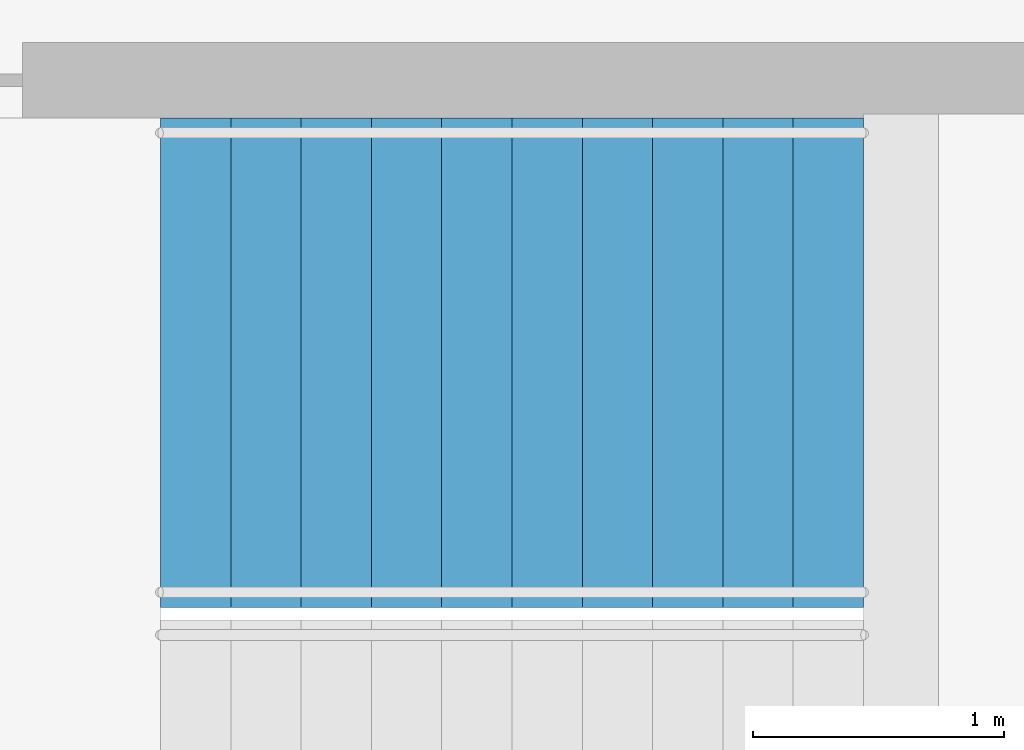
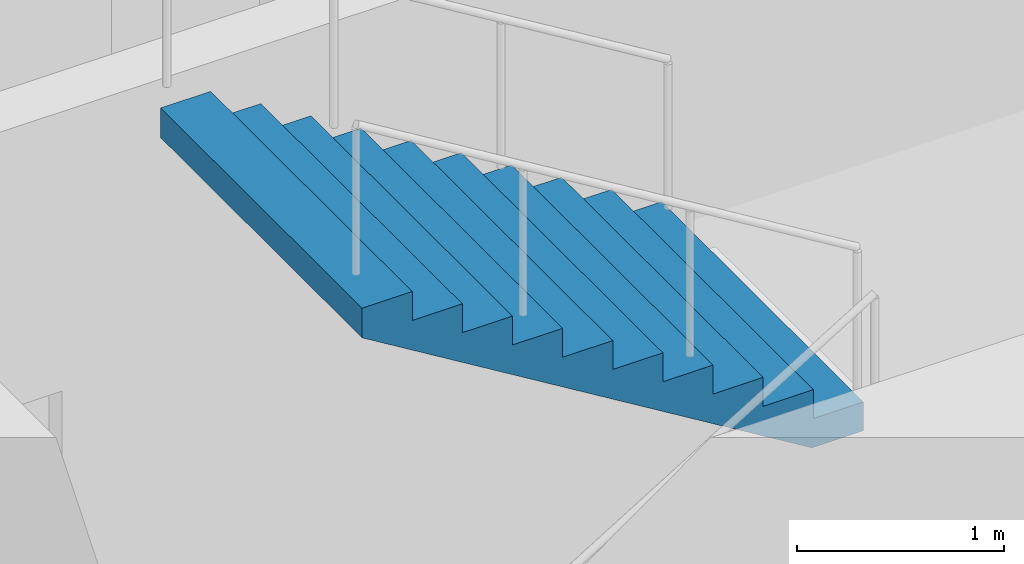
# One storey, part 20 of 23: 1 stair flight, 1 element without a shape of its own.
"""IFC4 building model written with IfcOpenShell, lengths in metres."""

from ifc_helpers import new_model, si_unit, direction, frame, origin, place, context, subcontext, project, spatial, triangles, material, type_object, element, aggregate, save


model = new_model("IFC4")

# Units and contexts
model_context = context("Model", 3, precision=1e-05, world=origin(), true_north=direction((0.0, 1.0)))
body_context = subcontext(model_context, "Body", "Model", "MODEL_VIEW")
ifc_project = project(units=[si_unit("LENGTHUNIT", "METRE"), si_unit("AREAUNIT", "SQUARE_METRE"), si_unit("VOLUMEUNIT", "CUBIC_METRE"), si_unit("PLANEANGLEUNIT", "RADIAN"), si_unit("MASSUNIT", "GRAM", prefix="KILO")], contexts=[model_context])

# Site, building, storey
site_placement = place(None, origin())
site = spatial("IfcSite", under=ifc_project, at=site_placement, CompositionType="ELEMENT")
building_placement = place(site_placement, origin())
building = spatial("IfcBuilding", under=site, at=building_placement, Name="Orbita Commons", CompositionType="ELEMENT")
storey_placement = place(building_placement, frame((0.0, 0.0, 65.199951171875)))
storey = spatial("IfcBuildingStorey", under=building, at=storey_placement, Name="L16", CompositionType="ELEMENT", Elevation=65.199951171875)

# Stair, stair flight
ifc_material_1 = material(Name="Precast concrete C40/50", Category="concrete")
stair_type = type_object("IfcStairType", Name="Exit stair S1 2 flights 11 risers 170", PredefinedType="HALF_TURN_STAIR", material=ifc_material_1)
stair_placement = place(storey_placement, origin())
stair = element("IfcStair", 1, at=stair_placement, inside=storey, type_object=stair_type, Name="Exit stair S1 L16", PredefinedType="HALF_TURN_STAIR")
ifc_material_2 = material(Name="Precast concrete C40/50", Category="concrete")
stair_flight_type = type_object("IfcStairFlightType", Name="Stair flight 11 risers 170 x 280", PredefinedType="STRAIGHT", material=ifc_material_2)
stair_flight_placement = place(storey_placement, frame((23.25, 29.27490234375, 1.875), z_axis=(0.0, 0.0, 1.0), x_axis=(-1.0, 0.0, 0.0)))
stair_flight = element("IfcStairFlight", 2, at=stair_flight_placement, type_object=stair_flight_type, Name="S1 flight 2", NumberOfRisers=11, NumberOfTreads=10, PredefinedType="STRAIGHT", RiserHeight=0.170454545, TreadLength=0.28, context=body_context, shape_type="Tessellation", body=[
    triangles([(0.0, 0.974976, 0.0), (0.0, 0.974976, 0.021307), (0.0, 0.81248, 0.021307), (0.0, 0.81248, 0.0), (0.0, 0.649984, 0.021307), (0.0, 0.649984, 0.0), (0.0, 0.487488, 0.021307), (0.0, 0.487488, 0.0), (0.0, 0.324992, 0.021307), (0.0, 0.324992, 0.0), (0.0, 0.162496, 0.021307), (0.0, 0.162496, 0.0), (0.0, 0.0, 0.021307), (0.0, 0.0, 0.0), (0.0, -0.162496, 0.021307), (0.0, -0.162496, 0.0), (0.0, -0.324992, 0.021307), (0.0, -0.324992, 0.0), (0.0, -0.487488, 0.021307), (0.0, -0.487488, 0.0), (0.0, -0.649984, 0.021307), (0.0, -0.649984, 0.0), (0.0, -0.81248, 0.021307), (0.0, -0.81248, 0.0), (0.0, -0.974976, 0.021307), (0.0, -0.974976, 0.0), (0.0, 0.974976, 0.042614), (0.0, 0.81248, 0.042614), (0.0, 0.649984, 0.042614), (0.0, 0.487488, 0.042614), (0.0, 0.324992, 0.042614), (0.0, 0.162496, 0.042614), (0.0, 0.0, 0.042614), (0.0, -0.162496, 0.042614), (0.0, -0.324992, 0.042614), (0.0, -0.487488, 0.042614), (0.0, -0.649984, 0.042614), (0.0, -0.81248, 0.042614), (0.0, -0.974976, 0.042614), (0.0, 0.974976, 0.06392), (0.0, 0.81248, 0.06392), (0.0, 0.649984, 0.06392), (0.0, 0.487488, 0.06392), (0.0, 0.324992, 0.06392), (0.0, 0.162496, 0.06392), (0.0, 0.0, 0.06392), (0.0, -0.162496, 0.06392), (0.0, -0.324992, 0.06392), (0.0, -0.487488, 0.06392), (0.0, -0.649984, 0.06392), (0.0, -0.81248, 0.06392), (0.0, -0.974976, 0.06392), (0.0, 0.974976, 0.085227), (0.0, 0.81248, 0.085227), (0.0, 0.649984, 0.085227), (0.0, 0.487488, 0.085227), (0.0, 0.324992, 0.085227), (0.0, 0.162496, 0.085227), (0.0, 0.0, 0.085227), (0.0, -0.162496, 0.085227), (0.0, -0.324992, 0.085227), (0.0, -0.487488, 0.085227), (0.0, -0.649984, 0.085227), (0.0, -0.81248, 0.085227), (0.0, -0.974976, 0.085227), (0.0, 0.974976, 0.106534), (0.0, 0.81248, 0.106534), (0.0, 0.649984, 0.106534), (0.0, 0.487488, 0.106534), (0.0, 0.324992, 0.106534), (0.0, 0.162496, 0.106534), (0.0, 0.0, 0.106534), (0.0, -0.162496, 0.106534), (0.0, -0.324992, 0.106534), (0.0, -0.487488, 0.106534), (0.0, -0.649984, 0.106534), (0.0, -0.81248, 0.106534), (0.0, -0.974976, 0.106534), (0.0, 0.974976, 0.127841), (0.0, 0.81248, 0.127841), (0.0, 0.649984, 0.127841), (0.0, 0.487488, 0.127841), (0.0, 0.324992, 0.127841), (0.0, 0.162496, 0.127841), (0.0, 0.0, 0.127841), (0.0, -0.162496, 0.127841), (0.0, -0.324992, 0.127841), (0.0, -0.487488, 0.127841), (0.0, -0.649984, 0.127841), (0.0, -0.81248, 0.127841), (0.0, -0.974976, 0.127841), (0.0, 0.974976, 0.149148), (0.0, 0.81248, 0.149148), (0.0, 0.649984, 0.149148), (0.0, 0.487488, 0.149148), (0.0, 0.324992, 0.149148), (0.0, 0.162496, 0.149148), (0.0, 0.0, 0.149148), (0.0, -0.162496, 0.149148), (0.0, -0.324992, 0.149148), (0.0, -0.487488, 0.149148), (0.0, -0.649984, 0.149148), (0.0, -0.81248, 0.149148), (0.0, -0.974976, 0.149148), (0.0, 0.974976, 0.170455), (0.0, 0.81248, 0.170455), (0.0, 0.649984, 0.170455), (0.0, 0.487488, 0.170455), (0.0, 0.324992, 0.170455), (0.0, 0.162496, 0.170455), (0.0, 0.0, 0.170455), (0.0, -0.162496, 0.170455), (0.0, -0.324992, 0.170455), (0.0, -0.487488, 0.170455), (0.0, -0.649984, 0.170455), (0.0, -0.81248, 0.170455), (0.0, -0.974976, 0.170455), (0.28, 0.974976, 0.170455), (0.28, 0.81248, 0.170455), (0.28, 0.649984, 0.170455), (0.28, 0.487488, 0.170455), (0.28, 0.324992, 0.170455), (0.28, 0.162496, 0.170455), (0.28, 0.0, 0.170455), (0.28, -0.162496, 0.170455), (0.28, -0.324992, 0.170455), (0.28, -0.487488, 0.170455), (0.28, -0.649984, 0.170455), (0.28, -0.81248, 0.170455), (0.28, -0.974976, 0.170455), (0.28, 0.974976, 0.340909), (0.28, 0.81248, 0.340909), (0.28, 0.649984, 0.340909), (0.28, 0.487488, 0.340909), (0.28, 0.324992, 0.340909), (0.28, 0.162496, 0.340909), (0.28, 0.0, 0.340909), (0.28, -0.162496, 0.340909), (0.28, -0.324992, 0.340909), (0.28, -0.487488, 0.340909), (0.28, -0.649984, 0.340909), (0.28, -0.81248, 0.340909), (0.28, -0.974976, 0.340909), (0.56, 0.974976, 0.340909), (0.56, 0.81248, 0.340909), (0.56, 0.649984, 0.340909), (0.56, 0.487488, 0.340909), (0.56, 0.324992, 0.340909), (0.56, 0.162496, 0.340909), (0.56, 0.0, 0.340909), (0.56, -0.162496, 0.340909), (0.56, -0.324992, 0.340909), (0.56, -0.487488, 0.340909), (0.56, -0.649984, 0.340909), (0.56, -0.81248, 0.340909), (0.56, -0.974976, 0.340909), (0.56, 0.974976, 0.511364), (0.56, 0.81248, 0.511364), (0.56, 0.649984, 0.511364), (0.56, 0.487488, 0.511364), (0.56, 0.324992, 0.511364), (0.56, 0.162496, 0.511364), (0.56, 0.0, 0.511364), (0.56, -0.162496, 0.511364), (0.56, -0.324992, 0.511364), (0.56, -0.487488, 0.511364), (0.56, -0.649984, 0.511364), (0.56, -0.81248, 0.511364), (0.56, -0.974976, 0.511364), (0.84, 0.974976, 0.511364), (0.84, 0.81248, 0.511364), (0.84, 0.649984, 0.511364), (0.84, 0.487488, 0.511364), (0.84, 0.324992, 0.511364), (0.84, 0.162496, 0.511364), (0.84, 0.0, 0.511364), (0.84, -0.162496, 0.511364), (0.84, -0.324992, 0.511364), (0.84, -0.487488, 0.511364), (0.84, -0.649984, 0.511364), (0.84, -0.81248, 0.511364), (0.84, -0.974976, 0.511364), (0.84, 0.974976, 0.681818), (0.84, 0.81248, 0.681818), (0.84, 0.649984, 0.681818), (0.84, 0.487488, 0.681818), (0.84, 0.324992, 0.681818), (0.84, 0.162496, 0.681818), (0.84, 0.0, 0.681818), (0.84, -0.162496, 0.681818), (0.84, -0.324992, 0.681818), (0.84, -0.487488, 0.681818), (0.84, -0.649984, 0.681818), (0.84, -0.81248, 0.681818), (0.84, -0.974976, 0.681818), (1.12, 0.974976, 0.681818), (1.12, 0.81248, 0.681818), (1.12, 0.649984, 0.681818), (1.12, 0.487488, 0.681818), (1.12, 0.324992, 0.681818), (1.12, 0.162496, 0.681818), (1.12, 0.0, 0.681818), (1.12, -0.162496, 0.681818), (1.12, -0.324992, 0.681818), (1.12, -0.487488, 0.681818), (1.12, -0.649984, 0.681818), (1.12, -0.81248, 0.681818), (1.12, -0.974976, 0.681818), (1.12, 0.974976, 0.852273), (1.12, 0.81248, 0.852273), (1.12, 0.649984, 0.852273), (1.12, 0.487488, 0.852273), (1.12, 0.324992, 0.852273), (1.12, 0.162496, 0.852273), (1.12, 0.0, 0.852273), (1.12, -0.162496, 0.852273), (1.12, -0.324992, 0.852273), (1.12, -0.487488, 0.852273), (1.12, -0.649984, 0.852273), (1.12, -0.81248, 0.852273), (1.12, -0.974976, 0.852273), (1.4, 0.974976, 0.852273), (1.4, 0.81248, 0.852273), (1.4, 0.649984, 0.852273), (1.4, 0.487488, 0.852273), (1.4, 0.324992, 0.852273), (1.4, 0.162496, 0.852273), (1.4, 0.0, 0.852273), (1.4, -0.162496, 0.852273), (1.4, -0.324992, 0.852273), (1.4, -0.487488, 0.852273), (1.4, -0.649984, 0.852273), (1.4, -0.81248, 0.852273), (1.4, -0.974976, 0.852273), (1.4, 0.974976, 1.022727), (1.4, 0.81248, 1.022727), (1.4, 0.649984, 1.022727), (1.4, 0.487488, 1.022727), (1.4, 0.324992, 1.022727), (1.4, 0.162496, 1.022727), (1.4, 0.0, 1.022727), (1.4, -0.162496, 1.022727), (1.4, -0.324992, 1.022727), (1.4, -0.487488, 1.022727), (1.4, -0.649984, 1.022727), (1.4, -0.81248, 1.022727), (1.4, -0.974976, 1.022727), (1.68, 0.974976, 1.022727), (1.68, 0.81248, 1.022727), (1.68, 0.649984, 1.022727), (1.68, 0.487488, 1.022727), (1.68, 0.324992, 1.022727), (1.68, 0.162496, 1.022727), (1.68, 0.0, 1.022727), (1.68, -0.162496, 1.022727), (1.68, -0.324992, 1.022727), (1.68, -0.487488, 1.022727), (1.68, -0.649984, 1.022727), (1.68, -0.81248, 1.022727), (1.68, -0.974976, 1.022727), (1.68, 0.974976, 1.193182), (1.68, 0.81248, 1.193182), (1.68, 0.649984, 1.193182), (1.68, 0.487488, 1.193182), (1.68, 0.324992, 1.193182), (1.68, 0.162496, 1.193182), (1.68, 0.0, 1.193182), (1.68, -0.162496, 1.193182), (1.68, -0.324992, 1.193182), (1.68, -0.487488, 1.193182), (1.68, -0.649984, 1.193182), (1.68, -0.81248, 1.193182), (1.68, -0.974976, 1.193182), (1.96, 0.974976, 1.193182), (1.96, 0.81248, 1.193182), (1.96, 0.649984, 1.193182), (1.96, 0.487488, 1.193182), (1.96, 0.324992, 1.193182), (1.96, 0.162496, 1.193182), (1.96, 0.0, 1.193182), (1.96, -0.162496, 1.193182), (1.96, -0.324992, 1.193182), (1.96, -0.487488, 1.193182), (1.96, -0.649984, 1.193182), (1.96, -0.81248, 1.193182), (1.96, -0.974976, 1.193182), (1.96, 0.974976, 1.363636), (1.96, 0.81248, 1.363636), (1.96, 0.649984, 1.363636), (1.96, 0.487488, 1.363636), (1.96, 0.324992, 1.363636), (1.96, 0.162496, 1.363636), (1.96, 0.0, 1.363636), (1.96, -0.162496, 1.363636), (1.96, -0.324992, 1.363636), (1.96, -0.487488, 1.363636), (1.96, -0.649984, 1.363636), (1.96, -0.81248, 1.363636), (1.96, -0.974976, 1.363636), (2.24, 0.974976, 1.363636), (2.24, 0.81248, 1.363636), (2.24, 0.649984, 1.363636), (2.24, 0.487488, 1.363636), (2.24, 0.324992, 1.363636), (2.24, 0.162496, 1.363636), (2.24, 0.0, 1.363636), (2.24, -0.162496, 1.363636), (2.24, -0.324992, 1.363636), (2.24, -0.487488, 1.363636), (2.24, -0.649984, 1.363636), (2.24, -0.81248, 1.363636), (2.24, -0.974976, 1.363636), (2.24, 0.974976, 1.534091), (2.24, 0.81248, 1.534091), (2.24, 0.649984, 1.534091), (2.24, 0.487488, 1.534091), (2.24, 0.324992, 1.534091), (2.24, 0.162496, 1.534091), (2.24, 0.0, 1.534091), (2.24, -0.162496, 1.534091), (2.24, -0.324992, 1.534091), (2.24, -0.487488, 1.534091), (2.24, -0.649984, 1.534091), (2.24, -0.81248, 1.534091), (2.24, -0.974976, 1.534091), (2.52, 0.974976, 1.534091), (2.52, 0.81248, 1.534091), (2.52, 0.649984, 1.534091), (2.52, 0.487488, 1.534091), (2.52, 0.324992, 1.534091), (2.52, 0.162496, 1.534091), (2.52, 0.0, 1.534091), (2.52, -0.162496, 1.534091), (2.52, -0.324992, 1.534091), (2.52, -0.487488, 1.534091), (2.52, -0.649984, 1.534091), (2.52, -0.81248, 1.534091), (2.52, -0.974976, 1.534091), (2.52, 0.974976, 1.704545), (2.52, 0.81248, 1.704545), (2.52, 0.649984, 1.704545), (2.52, 0.487488, 1.704545), (2.52, 0.324992, 1.704545), (2.52, 0.162496, 1.704545), (2.52, 0.0, 1.704545), (2.52, -0.162496, 1.704545), (2.52, -0.324992, 1.704545), (2.52, -0.487488, 1.704545), (2.52, -0.649984, 1.704545), (2.52, -0.81248, 1.704545), (2.52, -0.974976, 1.704545), (2.8, 0.974976, 1.704545), (2.8, 0.81248, 1.704545), (2.8, 0.649984, 1.704545), (2.8, 0.487488, 1.704545), (2.8, 0.324992, 1.704545), (2.8, 0.162496, 1.704545), (2.8, 0.0, 1.704545), (2.8, -0.162496, 1.704545), (2.8, -0.324992, 1.704545), (2.8, -0.487488, 1.704545), (2.8, -0.649984, 1.704545), (2.8, -0.81248, 1.704545), (2.8, -0.974976, 1.704545), (2.8, 0.974976, 1.682609), (2.8, 0.81248, 1.682609), (2.8, 0.649984, 1.682609), (2.8, 0.487488, 1.682609), (2.8, 0.324992, 1.682609), (2.8, 0.162496, 1.682609), (2.8, 0.0, 1.682609), (2.8, -0.162496, 1.682609), (2.8, -0.324992, 1.682609), (2.8, -0.487488, 1.682609), (2.8, -0.649984, 1.682609), (2.8, -0.81248, 1.682609), (2.8, -0.974976, 1.682609), (2.8, 0.974976, 1.660672), (2.8, 0.81248, 1.660672), (2.8, 0.649984, 1.660672), (2.8, 0.487488, 1.660672), (2.8, 0.324992, 1.660672), (2.8, 0.162496, 1.660672), (2.8, 0.0, 1.660672), (2.8, -0.162496, 1.660672), (2.8, -0.324992, 1.660672), (2.8, -0.487488, 1.660672), (2.8, -0.649984, 1.660672), (2.8, -0.81248, 1.660672), (2.8, -0.974976, 1.660672), (2.8, 0.974976, 1.638735), (2.8, 0.81248, 1.638735), (2.8, 0.649984, 1.638735), (2.8, 0.487488, 1.638735), (2.8, 0.324992, 1.638735), (2.8, 0.162496, 1.638735), (2.8, 0.0, 1.638735), (2.8, -0.162496, 1.638735), (2.8, -0.324992, 1.638735), (2.8, -0.487488, 1.638735), (2.8, -0.649984, 1.638735), (2.8, -0.81248, 1.638735), (2.8, -0.974976, 1.638735), (2.8, 0.974976, 1.616798), (2.8, 0.81248, 1.616798), (2.8, 0.649984, 1.616798), (2.8, 0.487488, 1.616798), (2.8, 0.324992, 1.616798), (2.8, 0.162496, 1.616798), (2.8, 0.0, 1.616798), (2.8, -0.162496, 1.616798), (2.8, -0.324992, 1.616798), (2.8, -0.487488, 1.616798), (2.8, -0.649984, 1.616798), (2.8, -0.81248, 1.616798), (2.8, -0.974976, 1.616798), (2.8, 0.974976, 1.594861), (2.8, 0.81248, 1.594861), (2.8, 0.649984, 1.594861), (2.8, 0.487488, 1.594861), (2.8, 0.324992, 1.594861), (2.8, 0.162496, 1.594861), (2.8, 0.0, 1.594861), (2.8, -0.162496, 1.594861), (2.8, -0.324992, 1.594861), (2.8, -0.487488, 1.594861), (2.8, -0.649984, 1.594861), (2.8, -0.81248, 1.594861), (2.8, -0.974976, 1.594861), (2.8, 0.974976, 1.572925), (2.8, 0.81248, 1.572925), (2.8, 0.649984, 1.572925), (2.8, 0.487488, 1.572925), (2.8, 0.324992, 1.572925), (2.8, 0.162496, 1.572925), (2.8, 0.0, 1.572925), (2.8, -0.162496, 1.572925), (2.8, -0.324992, 1.572925), (2.8, -0.487488, 1.572925), (2.8, -0.649984, 1.572925), (2.8, -0.81248, 1.572925), (2.8, -0.974976, 1.572925), (2.8, 0.974976, 1.550988), (2.8, 0.81248, 1.550988), (2.8, 0.649984, 1.550988), (2.8, 0.487488, 1.550988), (2.8, 0.324992, 1.550988), (2.8, 0.162496, 1.550988), (2.8, 0.0, 1.550988), (2.8, -0.162496, 1.550988), (2.8, -0.324992, 1.550988), (2.8, -0.487488, 1.550988), (2.8, -0.649984, 1.550988), (2.8, -0.81248, 1.550988), (2.8, -0.974976, 1.550988), (2.8, 0.974976, 1.529051), (2.8, 0.81248, 1.529051), (2.8, 0.649984, 1.529051), (2.8, 0.487488, 1.529051), (2.8, 0.324992, 1.529051), (2.8, 0.162496, 1.529051), (2.8, 0.0, 1.529051), (2.8, -0.162496, 1.529051), (2.8, -0.324992, 1.529051), (2.8, -0.487488, 1.529051), (2.8, -0.649984, 1.529051), (2.8, -0.81248, 1.529051), (2.8, -0.974976, 1.529051), (0.288279, 0.974976, 0.0), (0.288279, 0.81248, 0.0), (0.288279, 0.649984, 0.0), (0.288279, 0.487488, 0.0), (0.288279, 0.324992, 0.0), (0.288279, 0.162496, 0.0), (0.288279, 0.0, 0.0), (0.288279, -0.162496, 0.0), (0.288279, -0.324992, 0.0), (0.288279, -0.487488, 0.0), (0.288279, -0.649984, 0.0), (0.288279, -0.81248, 0.0), (0.288279, -0.974976, 0.0)], [[3, 2, 1], [4, 3, 1], [5, 3, 4], [6, 5, 4], [7, 5, 6], [8, 7, 6], [9, 7, 8], [10, 9, 8], [11, 9, 10], [12, 11, 10], [13, 11, 12], [14, 13, 12], [15, 13, 14], [16, 15, 14], [17, 15, 16], [18, 17, 16], [19, 17, 18], [20, 19, 18], [21, 19, 20], [22, 21, 20], [23, 21, 22], [24, 23, 22], [25, 23, 24], [26, 25, 24], [28, 27, 2], [3, 28, 2], [29, 28, 3], [5, 29, 3], [30, 29, 5], [7, 30, 5], [31, 30, 7], [9, 31, 7], [32, 31, 9], [11, 32, 9], [33, 32, 11], [13, 33, 11], [34, 33, 13], [15, 34, 13], [35, 34, 15], [17, 35, 15], [36, 35, 17], [19, 36, 17], [37, 36, 19], [21, 37, 19], [38, 37, 21], [23, 38, 21], [39, 38, 23], [25, 39, 23], [41, 40, 27], [28, 41, 27], [42, 41, 28], [29, 42, 28], [43, 42, 29], [30, 43, 29], [44, 43, 30], [31, 44, 30], [45, 44, 31], [32, 45, 31], [46, 45, 32], [33, 46, 32], [47, 46, 33], [34, 47, 33], [48, 47, 34], [35, 48, 34], [49, 48, 35], [36, 49, 35], [50, 49, 36], [37, 50, 36], [51, 50, 37], [38, 51, 37], [52, 51, 38], [39, 52, 38], [54, 53, 40], [41, 54, 40], [55, 54, 41], [42, 55, 41], [56, 55, 42], [43, 56, 42], [57, 56, 43], [44, 57, 43], [58, 57, 44], [45, 58, 44], [59, 58, 45], [46, 59, 45], [60, 59, 46], [47, 60, 46], [61, 60, 47], [48, 61, 47], [62, 61, 48], [49, 62, 48], [63, 62, 49], [50, 63, 49], [64, 63, 50], [51, 64, 50], [65, 64, 51], [52, 65, 51], [67, 66, 53], [54, 67, 53], [68, 67, 54], [55, 68, 54], [69, 68, 55], [56, 69, 55], [70, 69, 56], [57, 70, 56], [71, 70, 57], [58, 71, 57], [72, 71, 58], [59, 72, 58], [73, 72, 59], [60, 73, 59], [74, 73, 60], [61, 74, 60], [75, 74, 61], [62, 75, 61], [76, 75, 62], [63, 76, 62], [77, 76, 63], [64, 77, 63], [78, 77, 64], [65, 78, 64], [80, 79, 66], [67, 80, 66], [81, 80, 67], [68, 81, 67], [82, 81, 68], [69, 82, 68], [83, 82, 69], [70, 83, 69], [84, 83, 70], [71, 84, 70], [85, 84, 71], [72, 85, 71], [86, 85, 72], [73, 86, 72], [87, 86, 73], [74, 87, 73], [88, 87, 74], [75, 88, 74], [89, 88, 75], [76, 89, 75], [90, 89, 76], [77, 90, 76], [91, 90, 77], [78, 91, 77], [93, 92, 79], [80, 93, 79], [94, 93, 80], [81, 94, 80], [95, 94, 81], [82, 95, 81], [96, 95, 82], [83, 96, 82], [97, 96, 83], [84, 97, 83], [98, 97, 84], [85, 98, 84], [99, 98, 85], [86, 99, 85], [100, 99, 86], [87, 100, 86], [101, 100, 87], [88, 101, 87], [102, 101, 88], [89, 102, 88], [103, 102, 89], [90, 103, 89], [104, 103, 90], [91, 104, 90], [106, 105, 92], [93, 106, 92], [107, 106, 93], [94, 107, 93], [108, 107, 94], [95, 108, 94], [109, 108, 95], [96, 109, 95], [110, 109, 96], [97, 110, 96], [111, 110, 97], [98, 111, 97], [112, 111, 98], [99, 112, 98], [113, 112, 99], [100, 113, 99], [114, 113, 100], [101, 114, 100], [115, 114, 101], [102, 115, 101], [116, 115, 102], [103, 116, 102], [117, 116, 103], [104, 117, 103], [119, 118, 105], [106, 119, 105], [120, 119, 106], [107, 120, 106], [121, 120, 107], [108, 121, 107], [122, 121, 108], [109, 122, 108], [123, 122, 109], [110, 123, 109], [124, 123, 110], [111, 124, 110], [125, 124, 111], [112, 125, 111], [126, 125, 112], [113, 126, 112], [127, 126, 113], [114, 127, 113], [128, 127, 114], [115, 128, 114], [129, 128, 115], [116, 129, 115], [130, 129, 116], [117, 130, 116], [132, 131, 118], [119, 132, 118], [133, 132, 119], [120, 133, 119], [134, 133, 120], [121, 134, 120], [135, 134, 121], [122, 135, 121], [136, 135, 122], [123, 136, 122], [137, 136, 123], [124, 137, 123], [138, 137, 124], [125, 138, 124], [139, 138, 125], [126, 139, 125], [140, 139, 126], [127, 140, 126], [141, 140, 127], [128, 141, 127], [142, 141, 128], [129, 142, 128], [143, 142, 129], [130, 143, 129], [145, 144, 131], [132, 145, 131], [146, 145, 132], [133, 146, 132], [147, 146, 133], [134, 147, 133], [148, 147, 134], [135, 148, 134], [149, 148, 135], [136, 149, 135], [150, 149, 136], [137, 150, 136], [151, 150, 137], [138, 151, 137], [152, 151, 138], [139, 152, 138], [153, 152, 139], [140, 153, 139], [154, 153, 140], [141, 154, 140], [155, 154, 141], [142, 155, 141], [156, 155, 142], [143, 156, 142], [158, 157, 144], [145, 158, 144], [159, 158, 145], [146, 159, 145], [160, 159, 146], [147, 160, 146], [161, 160, 147], [148, 161, 147], [162, 161, 148], [149, 162, 148], [163, 162, 149], [150, 163, 149], [164, 163, 150], [151, 164, 150], [165, 164, 151], [152, 165, 151], [166, 165, 152], [153, 166, 152], [167, 166, 153], [154, 167, 153], [168, 167, 154], [155, 168, 154], [169, 168, 155], [156, 169, 155], [171, 170, 157], [158, 171, 157], [172, 171, 158], [159, 172, 158], [173, 172, 159], [160, 173, 159], [174, 173, 160], [161, 174, 160], [175, 174, 161], [162, 175, 161], [176, 175, 162], [163, 176, 162], [177, 176, 163], [164, 177, 163], [178, 177, 164], [165, 178, 164], [179, 178, 165], [166, 179, 165], [180, 179, 166], [167, 180, 166], [181, 180, 167], [168, 181, 167], [182, 181, 168], [169, 182, 168], [184, 183, 170], [171, 184, 170], [185, 184, 171], [172, 185, 171], [186, 185, 172], [173, 186, 172], [187, 186, 173], [174, 187, 173], [188, 187, 174], [175, 188, 174], [189, 188, 175], [176, 189, 175], [190, 189, 176], [177, 190, 176], [191, 190, 177], [178, 191, 177], [192, 191, 178], [179, 192, 178], [193, 192, 179], [180, 193, 179], [194, 193, 180], [181, 194, 180], [195, 194, 181], [182, 195, 181], [197, 196, 183], [184, 197, 183], [198, 197, 184], [185, 198, 184], [199, 198, 185], [186, 199, 185], [200, 199, 186], [187, 200, 186], [201, 200, 187], [188, 201, 187], [202, 201, 188], [189, 202, 188], [203, 202, 189], [190, 203, 189], [204, 203, 190], [191, 204, 190], [205, 204, 191], [192, 205, 191], [206, 205, 192], [193, 206, 192], [207, 206, 193], [194, 207, 193], [208, 207, 194], [195, 208, 194], [210, 209, 196], [197, 210, 196], [211, 210, 197], [198, 211, 197], [212, 211, 198], [199, 212, 198], [213, 212, 199], [200, 213, 199], [214, 213, 200], [201, 214, 200], [215, 214, 201], [202, 215, 201], [216, 215, 202], [203, 216, 202], [217, 216, 203], [204, 217, 203], [218, 217, 204], [205, 218, 204], [219, 218, 205], [206, 219, 205], [220, 219, 206], [207, 220, 206], [221, 220, 207], [208, 221, 207], [223, 222, 209], [210, 223, 209], [224, 223, 210], [211, 224, 210], [225, 224, 211], [212, 225, 211], [226, 225, 212], [213, 226, 212], [227, 226, 213], [214, 227, 213], [228, 227, 214], [215, 228, 214], [229, 228, 215], [216, 229, 215], [230, 229, 216], [217, 230, 216], [231, 230, 217], [218, 231, 217], [232, 231, 218], [219, 232, 218], [233, 232, 219], [220, 233, 219], [234, 233, 220], [221, 234, 220], [236, 235, 222], [223, 236, 222], [237, 236, 223], [224, 237, 223], [238, 237, 224], [225, 238, 224], [239, 238, 225], [226, 239, 225], [240, 239, 226], [227, 240, 226], [241, 240, 227], [228, 241, 227], [242, 241, 228], [229, 242, 228], [243, 242, 229], [230, 243, 229], [244, 243, 230], [231, 244, 230], [245, 244, 231], [232, 245, 231], [246, 245, 232], [233, 246, 232], [247, 246, 233], [234, 247, 233], [249, 248, 235], [236, 249, 235], [250, 249, 236], [237, 250, 236], [251, 250, 237], [238, 251, 237], [252, 251, 238], [239, 252, 238], [253, 252, 239], [240, 253, 239], [254, 253, 240], [241, 254, 240], [255, 254, 241], [242, 255, 241], [256, 255, 242], [243, 256, 242], [257, 256, 243], [244, 257, 243], [258, 257, 244], [245, 258, 244], [259, 258, 245], [246, 259, 245], [260, 259, 246], [247, 260, 246], [262, 261, 248], [249, 262, 248], [263, 262, 249], [250, 263, 249], [264, 263, 250], [251, 264, 250], [265, 264, 251], [252, 265, 251], [266, 265, 252], [253, 266, 252], [267, 266, 253], [254, 267, 253], [268, 267, 254], [255, 268, 254], [269, 268, 255], [256, 269, 255], [270, 269, 256], [257, 270, 256], [271, 270, 257], [258, 271, 257], [272, 271, 258], [259, 272, 258], [273, 272, 259], [260, 273, 259], [275, 274, 261], [262, 275, 261], [276, 275, 262], [263, 276, 262], [277, 276, 263], [264, 277, 263], [278, 277, 264], [265, 278, 264], [279, 278, 265], [266, 279, 265], [280, 279, 266], [267, 280, 266], [281, 280, 267], [268, 281, 267], [282, 281, 268], [269, 282, 268], [283, 282, 269], [270, 283, 269], [284, 283, 270], [271, 284, 270], [285, 284, 271], [272, 285, 271], [286, 285, 272], [273, 286, 272], [288, 287, 274], [275, 288, 274], [289, 288, 275], [276, 289, 275], [290, 289, 276], [277, 290, 276], [291, 290, 277], [278, 291, 277], [292, 291, 278], [279, 292, 278], [293, 292, 279], [280, 293, 279], [294, 293, 280], [281, 294, 280], [295, 294, 281], [282, 295, 281], [296, 295, 282], [283, 296, 282], [297, 296, 283], [284, 297, 283], [298, 297, 284], [285, 298, 284], [299, 298, 285], [286, 299, 285], [301, 300, 287], [288, 301, 287], [302, 301, 288], [289, 302, 288], [303, 302, 289], [290, 303, 289], [304, 303, 290], [291, 304, 290], [305, 304, 291], [292, 305, 291], [306, 305, 292], [293, 306, 292], [307, 306, 293], [294, 307, 293], [308, 307, 294], [295, 308, 294], [309, 308, 295], [296, 309, 295], [310, 309, 296], [297, 310, 296], [311, 310, 297], [298, 311, 297], [312, 311, 298], [299, 312, 298], [314, 313, 300], [301, 314, 300], [315, 314, 301], [302, 315, 301], [316, 315, 302], [303, 316, 302], [317, 316, 303], [304, 317, 303], [318, 317, 304], [305, 318, 304], [319, 318, 305], [306, 319, 305], [320, 319, 306], [307, 320, 306], [321, 320, 307], [308, 321, 307], [322, 321, 308], [309, 322, 308], [323, 322, 309], [310, 323, 309], [324, 323, 310], [311, 324, 310], [325, 324, 311], [312, 325, 311], [327, 326, 313], [314, 327, 313], [328, 327, 314], [315, 328, 314], [329, 328, 315], [316, 329, 315], [330, 329, 316], [317, 330, 316], [331, 330, 317], [318, 331, 317], [332, 331, 318], [319, 332, 318], [333, 332, 319], [320, 333, 319], [334, 333, 320], [321, 334, 320], [335, 334, 321], [322, 335, 321], [336, 335, 322], [323, 336, 322], [337, 336, 323], [324, 337, 323], [338, 337, 324], [325, 338, 324], [340, 339, 326], [327, 340, 326], [341, 340, 327], [328, 341, 327], [342, 341, 328], [329, 342, 328], [343, 342, 329], [330, 343, 329], [344, 343, 330], [331, 344, 330], [345, 344, 331], [332, 345, 331], [346, 345, 332], [333, 346, 332], [347, 346, 333], [334, 347, 333], [348, 347, 334], [335, 348, 334], [349, 348, 335], [336, 349, 335], [350, 349, 336], [337, 350, 336], [351, 350, 337], [338, 351, 337], [353, 352, 339], [340, 353, 339], [354, 353, 340], [341, 354, 340], [355, 354, 341], [342, 355, 341], [356, 355, 342], [343, 356, 342], [357, 356, 343], [344, 357, 343], [358, 357, 344], [345, 358, 344], [359, 358, 345], [346, 359, 345], [360, 359, 346], [347, 360, 346], [361, 360, 347], [348, 361, 347], [362, 361, 348], [349, 362, 348], [363, 362, 349], [350, 363, 349], [364, 363, 350], [351, 364, 350], [366, 365, 352], [353, 366, 352], [367, 366, 353], [354, 367, 353], [368, 367, 354], [355, 368, 354], [369, 368, 355], [356, 369, 355], [370, 369, 356], [357, 370, 356], [371, 370, 357], [358, 371, 357], [372, 371, 358], [359, 372, 358], [373, 372, 359], [360, 373, 359], [374, 373, 360], [361, 374, 360], [375, 374, 361], [362, 375, 361], [376, 375, 362], [363, 376, 362], [377, 376, 363], [364, 377, 363], [379, 378, 365], [366, 379, 365], [380, 379, 366], [367, 380, 366], [381, 380, 367], [368, 381, 367], [382, 381, 368], [369, 382, 368], [383, 382, 369], [370, 383, 369], [384, 383, 370], [371, 384, 370], [385, 384, 371], [372, 385, 371], [386, 385, 372], [373, 386, 372], [387, 386, 373], [374, 387, 373], [388, 387, 374], [375, 388, 374], [389, 388, 375], [376, 389, 375], [390, 389, 376], [377, 390, 376], [392, 391, 378], [379, 392, 378], [393, 392, 379], [380, 393, 379], [394, 393, 380], [381, 394, 380], [395, 394, 381], [382, 395, 381], [396, 395, 382], [383, 396, 382], [397, 396, 383], [384, 397, 383], [398, 397, 384], [385, 398, 384], [399, 398, 385], [386, 399, 385], [400, 399, 386], [387, 400, 386], [401, 400, 387], [388, 401, 387], [402, 401, 388], [389, 402, 388], [403, 402, 389], [390, 403, 389], [405, 404, 391], [392, 405, 391], [406, 405, 392], [393, 406, 392], [407, 406, 393], [394, 407, 393], [408, 407, 394], [395, 408, 394], [409, 408, 395], [396, 409, 395], [410, 409, 396], [397, 410, 396], [411, 410, 397], [398, 411, 397], [412, 411, 398], [399, 412, 398], [413, 412, 399], [400, 413, 399], [414, 413, 400], [401, 414, 400], [415, 414, 401], [402, 415, 401], [416, 415, 402], [403, 416, 402], [418, 417, 404], [405, 418, 404], [419, 418, 405], [406, 419, 405], [420, 419, 406], [407, 420, 406], [421, 420, 407], [408, 421, 407], [422, 421, 408], [409, 422, 408], [423, 422, 409], [410, 423, 409], [424, 423, 410], [411, 424, 410], [425, 424, 411], [412, 425, 411], [426, 425, 412], [413, 426, 412], [427, 426, 413], [414, 427, 413], [428, 427, 414], [415, 428, 414], [429, 428, 415], [416, 429, 415], [431, 430, 417], [418, 431, 417], [432, 431, 418], [419, 432, 418], [433, 432, 419], [420, 433, 419], [434, 433, 420], [421, 434, 420], [435, 434, 421], [422, 435, 421], [436, 435, 422], [423, 436, 422], [437, 436, 423], [424, 437, 423], [438, 437, 424], [425, 438, 424], [439, 438, 425], [426, 439, 425], [440, 439, 426], [427, 440, 426], [441, 440, 427], [428, 441, 427], [442, 441, 428], [429, 442, 428], [444, 443, 430], [431, 444, 430], [445, 444, 431], [432, 445, 431], [446, 445, 432], [433, 446, 432], [447, 446, 433], [434, 447, 433], [448, 447, 434], [435, 448, 434], [449, 448, 435], [436, 449, 435], [450, 449, 436], [437, 450, 436], [451, 450, 437], [438, 451, 437], [452, 451, 438], [439, 452, 438], [453, 452, 439], [440, 453, 439], [454, 453, 440], [441, 454, 440], [455, 454, 441], [442, 455, 441], [457, 456, 443], [444, 457, 443], [458, 457, 444], [445, 458, 444], [459, 458, 445], [446, 459, 445], [460, 459, 446], [447, 460, 446], [461, 460, 447], [448, 461, 447], [462, 461, 448], [449, 462, 448], [463, 462, 449], [450, 463, 449], [464, 463, 450], [451, 464, 450], [465, 464, 451], [452, 465, 451], [466, 465, 452], [453, 466, 452], [467, 466, 453], [454, 467, 453], [468, 467, 454], [455, 468, 454], [470, 469, 456], [457, 470, 456], [471, 470, 457], [458, 471, 457], [472, 471, 458], [459, 472, 458], [473, 472, 459], [460, 473, 459], [474, 473, 460], [461, 474, 460], [475, 474, 461], [462, 475, 461], [476, 475, 462], [463, 476, 462], [477, 476, 463], [464, 477, 463], [478, 477, 464], [465, 478, 464], [479, 478, 465], [466, 479, 465], [480, 479, 466], [467, 480, 466], [481, 480, 467], [468, 481, 467], [4, 1, 469], [470, 4, 469], [6, 4, 470], [471, 6, 470], [8, 6, 471], [472, 8, 471], [10, 8, 472], [473, 10, 472], [12, 10, 473], [474, 12, 473], [14, 12, 474], [475, 14, 474], [16, 14, 475], [476, 16, 475], [18, 16, 476], [477, 18, 476], [20, 18, 477], [478, 20, 477], [22, 20, 478], [479, 22, 478], [24, 22, 479], [480, 24, 479], [26, 24, 480], [481, 26, 480], [456, 469, 1], [26, 481, 468], [443, 456, 1], [26, 468, 455], [430, 443, 1], [26, 455, 442], [417, 430, 1], [26, 442, 429], [404, 417, 1], [26, 429, 416], [391, 404, 1], [26, 416, 403], [378, 391, 1], [26, 403, 390], [365, 378, 1], [26, 390, 377], [339, 352, 365], [377, 364, 351], [326, 339, 365], [377, 351, 338], [300, 313, 326], [338, 325, 312], [300, 326, 365], [377, 338, 312], [274, 287, 300], [312, 299, 286], [274, 300, 365], [377, 312, 286], [248, 261, 274], [286, 273, 260], [248, 274, 365], [377, 286, 260], [222, 235, 248], [260, 247, 234], [222, 248, 365], [377, 260, 234], [196, 209, 222], [234, 221, 208], [196, 222, 365], [377, 234, 208], [170, 183, 196], [208, 195, 182], [170, 196, 365], [377, 208, 182], [144, 157, 170], [182, 169, 156], [144, 170, 365], [377, 182, 156], [118, 131, 144], [156, 143, 130], [118, 144, 365], [377, 156, 130], [118, 365, 1], [26, 377, 130], [92, 105, 118], [130, 117, 104], [79, 92, 118], [130, 104, 91], [66, 79, 118], [130, 91, 78], [53, 66, 118], [130, 78, 65], [40, 53, 118], [130, 65, 52], [27, 40, 118], [130, 52, 39], [2, 27, 118], [130, 39, 25], [1, 2, 118], [130, 25, 26]], closed=True),
])
aggregate(stair, [stair_flight])

save(model, "model.ifc")
